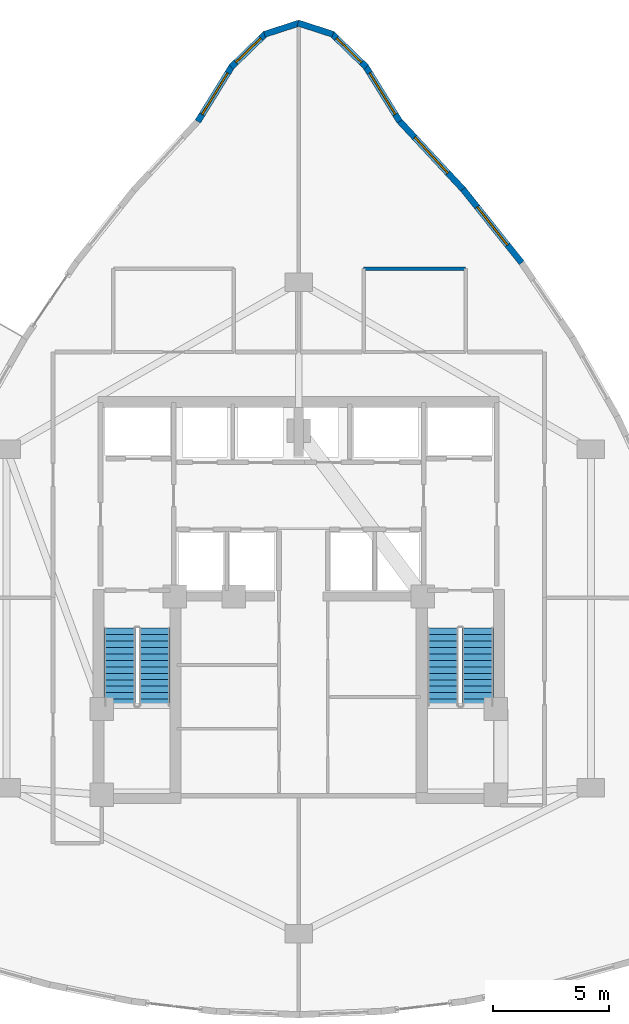
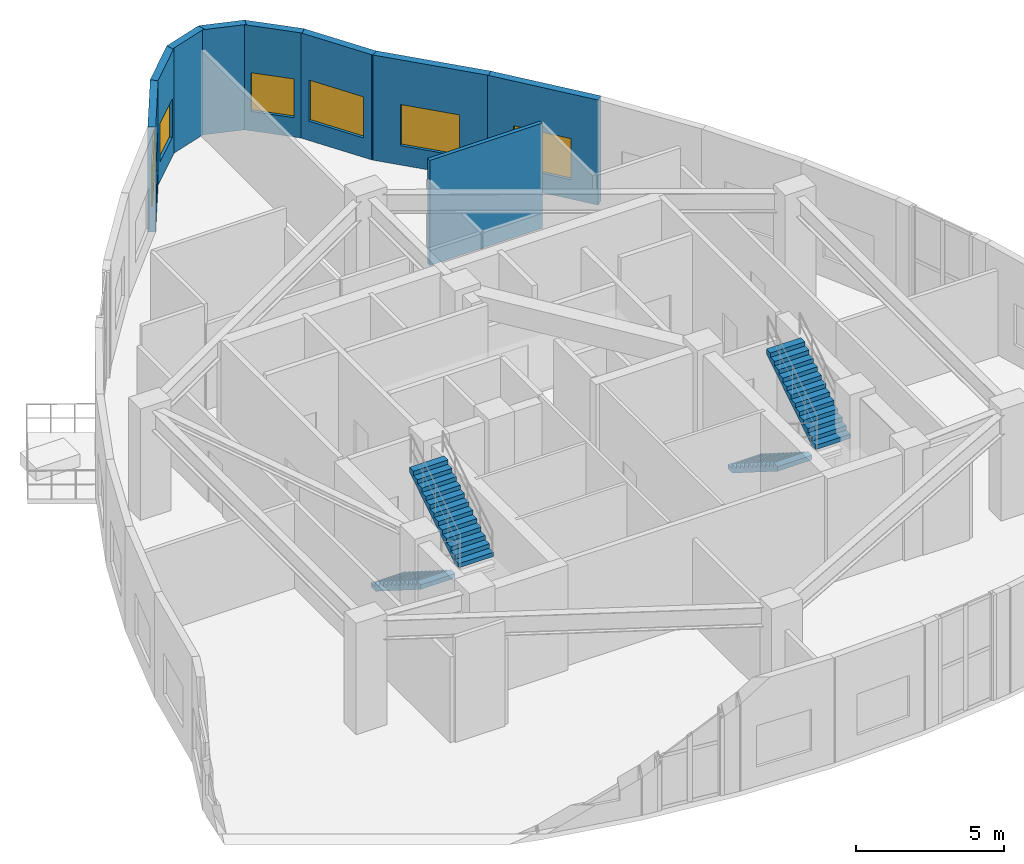
# One storey, part 13 of 14: 9 walls, 6 windows, 4 stair flights, 6 openings, 2 elements without a shape of their own.
"""IFC4 building model written with IfcOpenShell, lengths in metres."""

from ifc_helpers import new_model, si_unit, direction, frame, frame_2d, origin, place, context, subcontext, project, spatial, polyline, rectangle, outline, extrude, material, layer, layer_set, type_object, element, fill, aggregate, save


model = new_model("IFC4")

# Units and contexts
model_context = context("Model", 3, precision=1e-05, world=origin(), true_north=direction((0.0, 1.0)))
body_context = subcontext(model_context, "Body", "Model", "MODEL_VIEW")
ifc_project = project(units=[si_unit("LENGTHUNIT", "METRE"), si_unit("AREAUNIT", "SQUARE_METRE"), si_unit("VOLUMEUNIT", "CUBIC_METRE"), si_unit("PLANEANGLEUNIT", "RADIAN"), si_unit("MASSUNIT", "GRAM", prefix="KILO")], contexts=[model_context])

# Site, building, storey
site_placement = place(None, origin())
site = spatial("IfcSite", under=ifc_project, at=site_placement, CompositionType="ELEMENT")
building_placement = place(site_placement, origin())
building = spatial("IfcBuilding", under=site, at=building_placement, Name="Miruveldt Soraemaru", CompositionType="ELEMENT")
storey_placement = place(building_placement, frame((0.0, 0.0, 189.800048828125)))
storey = spatial("IfcBuildingStorey", under=building, at=storey_placement, Name="L52", CompositionType="ELEMENT", Elevation=189.800048828125)

# Wall, opening, window
ifc_material_1 = material(Name="Precast concrete C45/55 (45 MPa)", Category="concrete")
ifc_layer_1 = layer(ifc_material_1, 0.27001953125, Name="Precast concrete C45/55 (45 MPa)", Category="concrete")
ifc_layer_set_1 = layer_set([ifc_layer_1], Name="Precast concrete C45/55 (45 MPa)")
wall_type_1 = type_object("IfcWallType", Name="WALL-EXT-PC270", PredefinedType="SOLIDWALL", material=ifc_layer_set_1)
wall_1_placement = place(storey_placement, frame((48.356201171875, 64.54736328125, 0.0), z_axis=(0.0, 0.0, 1.0), x_axis=(-0.526077288346, 0.850436762309, 0.0)))
wall_1 = element("IfcWall", 1, at=wall_1_placement, inside=storey, type_object=wall_type_1, Name="L52 Precast Concrete Facade Wall 1", PredefinedType="SOLIDWALL", context=body_context, shape_type="SweptSolid", body=[
    extrude(rectangle(XDim=2.81884765625, YDim=0.27001953125, at=frame_2d((1.409423828125, 0.0))), origin(), (0.0, 0.0, 1.0), 4.344970703125),
])
opening_1_placement = place(wall_1_placement, frame((0.35888671875, 0.0, 0.800048828125)))
opening_1 = element("IfcOpeningElement", 2, at=opening_1_placement, cuts=wall_1, Name="Opening WN-1", PredefinedType="OPENING", context=body_context, shape_type="SweptSolid", body=[
    extrude(rectangle(XDim=2.10009765625, YDim=1.699951171875, at=frame_2d((1.050048828125, 0.85009765625))), frame((0.0, 0.14501953125, 0.0), z_axis=(0.0, -1.0, 0.0), x_axis=(1.0, 0.0, 0.0)), (0.0, 0.0, 1.0), 0.2900390625),
])
ifc_material_2 = material(Name="Triple low-e insulated glazing", Category="glass")
window_type_1 = type_object("IfcWindowType", Name="WIN-PUNCH-2100x1700", PartitioningType="SINGLE_PANEL", PredefinedType="WINDOW", material=ifc_material_2)
window_1_placement = place(opening_1_placement, origin())
window_1 = element("IfcWindow", 3, at=window_1_placement, inside=storey, type_object=window_type_1, Name="L52 Punched Triple-Glazed Window 01.1", OverallHeight=1.699951171875, OverallWidth=2.10009765625, PartitioningType="SINGLE_PANEL", PredefinedType="WINDOW", context=body_context, shape_type="SweptSolid", body=[
    extrude(rectangle(XDim=2.10009765625, YDim=1.699951171875, at=frame_2d((1.050048828125, 0.85009765625))), frame((0.0, 0.030029296875, 0.0), z_axis=(0.0, -1.0, 0.0), x_axis=(1.0, 0.0, 0.0)), (0.0, 0.0, 1.0), 0.06005859375),
])
fill(opening_1, window_1)

wall_2_placement = place(storey_placement, frame((46.9169921875, 66.890380859375, 0.0), z_axis=(0.0, 0.0, 1.0), x_axis=(-0.717801046214, 0.696248273286, 0.0)))
wall_2 = element("IfcWall", 4, at=wall_2_placement, inside=storey, type_object=wall_type_1, Name="L52 Precast Concrete Facade Wall 2", PredefinedType="SOLIDWALL", context=body_context, shape_type="SweptSolid", body=[
    extrude(rectangle(XDim=2.084228515625, YDim=0.27001953125, at=frame_2d((1.0419921875, 0.0))), origin(), (0.0, 0.0, 1.0), 4.344970703125),
])
opening_2_placement = place(wall_2_placement, frame((0.2919921875, 0.0, 0.800048828125)))
opening_2 = element("IfcOpeningElement", 5, at=opening_2_placement, cuts=wall_2, Name="Opening WN-3", PredefinedType="OPENING", context=body_context, shape_type="SweptSolid", body=[
    extrude(rectangle(XDim=1.5, YDim=1.60009765625, at=frame_2d((0.75, 0.800048828125))), frame((0.0, 0.14501953125, 0.0), z_axis=(0.0, -1.0, 0.0), x_axis=(1.0, 0.0, 0.0)), (0.0, 0.0, 1.0), 0.2900390625),
])
window_type_2 = type_object("IfcWindowType", Name="WIN-PUNCH-1500x1600", PartitioningType="SINGLE_PANEL", PredefinedType="WINDOW", material=ifc_material_2)
window_2_placement = place(opening_2_placement, origin())
window_2 = element("IfcWindow", 6, at=window_2_placement, inside=storey, type_object=window_type_2, Name="L52 Punched Triple-Glazed Window 02.1", OverallHeight=1.60009765625, OverallWidth=1.5, PartitioningType="SINGLE_PANEL", PredefinedType="WINDOW", context=body_context, shape_type="SweptSolid", body=[
    extrude(rectangle(XDim=1.5, YDim=1.60009765625, at=frame_2d((0.75, 0.800048828125))), frame((0.0, 0.030029296875, 0.0), z_axis=(0.0, -1.0, 0.0), x_axis=(1.0, 0.0, 0.0)), (0.0, 0.0, 1.0), 0.06005859375),
])
fill(opening_2, window_2)

# Walls
for number, where, z_axis, x_axis, name in (
    (7, (45.479248046875, 68.306396484375, 0.0), (0.0, 0.0, 1.0), (-0.951501392623, 0.307644437357, 0.0), "L52 Precast Concrete Facade Wall 3"),
    (8, (44.033203125, 68.79541015625, 0.0), (0.0, 0.0, 1.0), (-0.951501392623, -0.307644437357, 0.0), "L52 Precast Concrete Facade Wall 4"),
):
    element("IfcWall", number, at=place(storey_placement, frame(where, z_axis=z_axis, x_axis=x_axis)), inside=storey, type_object=wall_type_1, Name=name, PredefinedType="SOLIDWALL", context=body_context, shape_type="SweptSolid", body=[
        extrude(rectangle(XDim=1.589599609375, YDim=0.27001953125, at=frame_2d((0.794921875, 0.0))), origin(), (0.0, 0.0, 1.0), 4.344970703125),
    ])

# Wall, opening, window
wall_3_placement = place(storey_placement, frame((42.5791015625, 68.341552734375, 0.0), z_axis=(0.0, 0.0, 1.0), x_axis=(-0.717801046214, -0.696248273286, 0.0)))
wall_3 = element("IfcWall", 9, at=wall_3_placement, inside=storey, type_object=wall_type_1, Name="L52 Precast Concrete Facade Wall 5", PredefinedType="SOLIDWALL", context=body_context, shape_type="SweptSolid", body=[
    extrude(rectangle(XDim=2.084228515625, YDim=0.27001953125, at=frame_2d((1.0419921875, 0.0))), origin(), (0.0, 0.0, 1.0), 4.344970703125),
])
opening_3_placement = place(wall_3_placement, frame((0.2919921875, 0.0, 0.800048828125)))
opening_3 = element("IfcOpeningElement", 10, at=opening_3_placement, cuts=wall_3, Name="Opening WN-3", PredefinedType="OPENING", context=body_context, shape_type="SweptSolid", body=[
    extrude(rectangle(XDim=1.5, YDim=1.60009765625, at=frame_2d((0.75, 0.800048828125))), frame((0.0, 0.14501953125, 0.0), z_axis=(0.0, -1.0, 0.0), x_axis=(1.0, 0.0, 0.0)), (0.0, 0.0, 1.0), 0.2900390625),
])
window_3_placement = place(opening_3_placement, origin())
window_3 = element("IfcWindow", 11, at=window_3_placement, inside=storey, type_object=window_type_2, Name="L52 Punched Triple-Glazed Window 05.1", OverallHeight=1.60009765625, OverallWidth=1.5, PartitioningType="SINGLE_PANEL", PredefinedType="WINDOW", context=body_context, shape_type="SweptSolid", body=[
    extrude(rectangle(XDim=1.5, YDim=1.60009765625, at=frame_2d((0.75, 0.800048828125))), frame((0.0, 0.030029296875, 0.0), z_axis=(0.0, -1.0, 0.0), x_axis=(1.0, 0.0, 0.0)), (0.0, 0.0, 1.0), 0.06005859375),
])
fill(opening_3, window_3)

wall_4_placement = place(storey_placement, frame((41.126708984375, 66.944580078125, 0.0), z_axis=(0.0, 0.0, 1.0), x_axis=(-0.526077288346, -0.850436762309, 0.0)))
wall_4 = element("IfcWall", 12, at=wall_4_placement, inside=storey, type_object=wall_type_1, Name="L52 Precast Concrete Facade Wall 6", PredefinedType="SOLIDWALL", context=body_context, shape_type="SweptSolid", body=[
    extrude(rectangle(XDim=2.81884765625, YDim=0.27001953125, at=frame_2d((1.409423828125, 0.0))), origin(), (0.0, 0.0, 1.0), 4.344970703125),
])
opening_4_placement = place(wall_4_placement, frame((0.35888671875, 0.0, 0.800048828125)))
opening_4 = element("IfcOpeningElement", 13, at=opening_4_placement, cuts=wall_4, Name="Opening WN-1", PredefinedType="OPENING", context=body_context, shape_type="SweptSolid", body=[
    extrude(rectangle(XDim=2.10009765625, YDim=1.699951171875, at=frame_2d((1.050048828125, 0.85009765625))), frame((0.0, 0.14501953125, 0.0), z_axis=(0.0, -1.0, 0.0), x_axis=(1.0, 0.0, 0.0)), (0.0, 0.0, 1.0), 0.2900390625),
])
window_4_placement = place(opening_4_placement, origin())
window_4 = element("IfcWindow", 14, at=window_4_placement, inside=storey, type_object=window_type_1, Name="L52 Punched Triple-Glazed Window 06.1", OverallHeight=1.699951171875, OverallWidth=2.10009765625, PartitioningType="SINGLE_PANEL", PredefinedType="WINDOW", context=body_context, shape_type="SweptSolid", body=[
    extrude(rectangle(XDim=2.10009765625, YDim=1.699951171875, at=frame_2d((1.050048828125, 0.85009765625))), frame((0.0, 0.030029296875, 0.0), z_axis=(0.0, -1.0, 0.0), x_axis=(1.0, 0.0, 0.0)), (0.0, 0.0, 1.0), 0.06005859375),
])
fill(opening_4, window_4)

wall_5_placement = place(storey_placement, frame((53.62109375, 58.447021484375, 0.0), z_axis=(0.0, 0.0, 1.0), x_axis=(-0.623573825008, 0.781764468856, 0.0)))
wall_5 = element("IfcWall", 15, at=wall_5_placement, inside=storey, type_object=wall_type_1, Name="L52 Precast Concrete Facade Wall 41", PredefinedType="SOLIDWALL", context=body_context, shape_type="SweptSolid", body=[
    extrude(rectangle(XDim=4.065185546875, YDim=0.27001953125, at=frame_2d((2.03271484375, 0.0))), origin(), (0.0, 0.0, 1.0), 4.344970703125),
])
opening_5_placement = place(wall_5_placement, frame((0.98193359375, 0.0, 0.800048828125)))
opening_5 = element("IfcOpeningElement", 16, at=opening_5_placement, cuts=wall_5, Name="Opening WN-1", PredefinedType="OPENING", context=body_context, shape_type="SweptSolid", body=[
    extrude(rectangle(XDim=2.10009765625, YDim=1.699951171875, at=frame_2d((1.050048828125, 0.85009765625))), frame((0.0, 0.14501953125, 0.0), z_axis=(0.0, -1.0, 0.0), x_axis=(1.0, 0.0, 0.0)), (0.0, 0.0, 1.0), 0.2900390625),
])
window_5_placement = place(opening_5_placement, origin())
window_5 = element("IfcWindow", 17, at=window_5_placement, inside=storey, type_object=window_type_1, Name="L52 Punched Triple-Glazed Window 41.1", OverallHeight=1.699951171875, OverallWidth=2.10009765625, PartitioningType="SINGLE_PANEL", PredefinedType="WINDOW", context=body_context, shape_type="SweptSolid", body=[
    extrude(rectangle(XDim=2.10009765625, YDim=1.699951171875, at=frame_2d((1.050048828125, 0.85009765625))), frame((0.0, 0.030029296875, 0.0), z_axis=(0.0, -1.0, 0.0), x_axis=(1.0, 0.0, 0.0)), (0.0, 0.0, 1.0), 0.06005859375),
])
fill(opening_5, window_5)

wall_6_placement = place(storey_placement, frame((51.131591796875, 61.572021484375, 0.0), z_axis=(0.0, 0.0, 1.0), x_axis=(-0.680885456992, 0.732389919686, 0.0)))
wall_6 = element("IfcWall", 18, at=wall_6_placement, inside=storey, type_object=wall_type_1, Name="L52 Precast Concrete Facade Wall 42", PredefinedType="SOLIDWALL", context=body_context, shape_type="SweptSolid", body=[
    extrude(rectangle(XDim=4.13818359375, YDim=0.27001953125, at=frame_2d((2.069091796875, 0.0))), origin(), (0.0, 0.0, 1.0), 4.344970703125),
])
opening_6_placement = place(wall_6_placement, frame((1.01904296875, 0.0, 0.800048828125)))
opening_6 = element("IfcOpeningElement", 19, at=opening_6_placement, cuts=wall_6, Name="Opening WN-1", PredefinedType="OPENING", context=body_context, shape_type="SweptSolid", body=[
    extrude(rectangle(XDim=2.10009765625, YDim=1.699951171875, at=frame_2d((1.050048828125, 0.85009765625))), frame((0.0, 0.14501953125, 0.0), z_axis=(0.0, -1.0, 0.0), x_axis=(1.0, 0.0, 0.0)), (0.0, 0.0, 1.0), 0.2900390625),
])
window_6_placement = place(opening_6_placement, origin())
window_6 = element("IfcWindow", 20, at=window_6_placement, inside=storey, type_object=window_type_1, Name="L52 Punched Triple-Glazed Window 42.1", OverallHeight=1.699951171875, OverallWidth=2.10009765625, PartitioningType="SINGLE_PANEL", PredefinedType="WINDOW", context=body_context, shape_type="SweptSolid", body=[
    extrude(rectangle(XDim=2.10009765625, YDim=1.699951171875, at=frame_2d((1.050048828125, 0.85009765625))), frame((0.0, 0.030029296875, 0.0), z_axis=(0.0, -1.0, 0.0), x_axis=(1.0, 0.0, 0.0)), (0.0, 0.0, 1.0), 0.06005859375),
])
fill(opening_6, window_6)

# Wall
ifc_material_3 = material(Name="Gypsum plasterboard lining", Category="gypsum")
ifc_layer_2 = layer(ifc_material_3, 0.14990234375, Name="Gypsum plasterboard lining", Category="gypsum")
ifc_layer_set_2 = layer_set([ifc_layer_2], Name="Gypsum plasterboard lining")
wall_type_2 = type_object("IfcWallType", Name="WALL-INT-PLUMB", PredefinedType="PLUMBINGWALL", material=ifc_layer_set_2)
wall_7_placement = place(storey_placement, frame((51.199951171875, 58.199951171875, 0.0), z_axis=(0.0, 0.0, 1.0), x_axis=(-1.0, 0.0, 0.0)))
element("IfcWall", 21, at=wall_7_placement, inside=storey, type_object=wall_type_2, Name="L52 Partition Wall 18", PredefinedType="PLUMBINGWALL", context=body_context, shape_type="SweptSolid", body=[
    extrude(rectangle(XDim=4.39990234375, YDim=0.14990234375, at=frame_2d((2.199951171875, 0.0))), origin(), (0.0, 0.0, 1.0), 4.344970703125),
])

# Stair, stair flights
ifc_material_4 = material(Name="Concrete C40/50 (40 MPa)", Category="concrete")
stair_type = type_object("IfcStairType", Name="STAIR-DL-460", PredefinedType="HALF_TURN_STAIR", material=ifc_material_4)
stair_1_placement = place(storey_placement, origin())
stair_1 = element("IfcStair", 22, at=stair_1_placement, inside=storey, type_object=stair_type, Name="L52 Protected Exit Stair ST-1", PredefinedType="HALF_TURN_STAIR")
stair_flight_type = type_object("IfcStairFlightType", Name="SFL-DL-460", PredefinedType="STRAIGHT", material=ifc_material_4)
stair_flight_1_placement = place(storey_placement, frame((36.27490234375, 42.699951171875, 0.0), z_axis=(0.0, 0.0, 1.0), x_axis=(0.0, -1.0, 0.0)))
stair_flight_1 = element("IfcStairFlight", 23, at=stair_flight_1_placement, type_object=stair_flight_type, Name="ST-1 flight 1", NumberOfRisers=13, NumberOfTreads=12, PredefinedType="STRAIGHT", RiserHeight=0.176923077, TreadLength=0.28, context=body_context, shape_type="SweptSolid", body=[
    extrude(outline(polyline([(0.0, 0.0), (0.0, 0.177001953125), (0.280029296875, 0.177001953125), (0.280029296875, 0.353759765625), (0.56005859375, 0.353759765625), (0.56005859375, 0.53076171875), (0.840087890625, 0.53076171875), (0.840087890625, 0.707763671875), (1.1201171875, 0.707763671875), (1.1201171875, 0.884521484375), (1.39990234375, 0.884521484375), (1.39990234375, 1.0615234375), (1.679931640625, 1.0615234375), (1.679931640625, 1.238525390625), (1.9599609375, 1.238525390625), (1.9599609375, 1.415283203125), (2.239990234375, 1.415283203125), (2.239990234375, 1.59228515625), (2.52001953125, 1.59228515625), (2.52001953125, 1.769287109375), (2.800048828125, 1.769287109375), (2.800048828125, 1.946044921875), (3.080078125, 1.946044921875), (3.080078125, 2.123046875), (3.360107421875, 2.123046875), (3.360107421875, 2.300048828125), (3.360107421875, 1.933837890625), (0.29931640625, 0.0), (0.0, 0.0)])), frame((0.0, 0.675048828125, 0.0), z_axis=(0.0, -1.0, 0.0), x_axis=(1.0, 0.0, 0.0)), (0.0, 0.0, 1.0), 1.35009765625),
])
stair_flight_2_placement = place(storey_placement, frame((37.77490234375, 39.340087890625, 2.300048828125), z_axis=(0.0, 0.0, 1.0), x_axis=(0.0, 1.0, 0.0)))
stair_flight_2 = element("IfcStairFlight", 24, at=stair_flight_2_placement, type_object=stair_flight_type, Name="ST-1 flight 2", NumberOfRisers=13, NumberOfTreads=12, PredefinedType="STRAIGHT", RiserHeight=0.176923077, TreadLength=0.28, context=body_context, shape_type="SweptSolid", body=[
    extrude(outline(polyline([(0.0, 0.0), (0.0, 0.177001953125), (0.280029296875, 0.177001953125), (0.280029296875, 0.353759765625), (0.56005859375, 0.353759765625), (0.56005859375, 0.53076171875), (0.840087890625, 0.53076171875), (0.840087890625, 0.707763671875), (1.1201171875, 0.707763671875), (1.1201171875, 0.884521484375), (1.39990234375, 0.884521484375), (1.39990234375, 1.0615234375), (1.679931640625, 1.0615234375), (1.679931640625, 1.238525390625), (1.9599609375, 1.238525390625), (1.9599609375, 1.415283203125), (2.239990234375, 1.415283203125), (2.239990234375, 1.59228515625), (2.52001953125, 1.59228515625), (2.52001953125, 1.769287109375), (2.800048828125, 1.769287109375), (2.800048828125, 1.946044921875), (3.080078125, 1.946044921875), (3.080078125, 2.123046875), (3.360107421875, 2.123046875), (3.360107421875, 2.300048828125), (3.360107421875, 1.933837890625), (0.29931640625, 0.0), (0.0, 0.0)])), frame((0.0, 0.675048828125, 0.0), z_axis=(0.0, -1.0, 0.0), x_axis=(1.0, 0.0, 0.0)), (0.0, 0.0, 1.0), 1.35009765625),
])
aggregate(stair_1, [stair_flight_1, stair_flight_2])

stair_2_placement = place(storey_placement, origin())
stair_2 = element("IfcStair", 25, at=stair_2_placement, inside=storey, type_object=stair_type, Name="L52 Protected Exit Stair ST-2", PredefinedType="HALF_TURN_STAIR")
stair_flight_3_placement = place(storey_placement, frame((50.22509765625, 42.699951171875, 0.0), z_axis=(0.0, 0.0, 1.0), x_axis=(0.0, -1.0, 0.0)))
stair_flight_3 = element("IfcStairFlight", 26, at=stair_flight_3_placement, type_object=stair_flight_type, Name="ST-2 flight 1", NumberOfRisers=13, NumberOfTreads=12, PredefinedType="STRAIGHT", RiserHeight=0.176923077, TreadLength=0.28, context=body_context, shape_type="SweptSolid", body=[
    extrude(outline(polyline([(0.0, 0.0), (0.0, 0.177001953125), (0.280029296875, 0.177001953125), (0.280029296875, 0.353759765625), (0.56005859375, 0.353759765625), (0.56005859375, 0.53076171875), (0.840087890625, 0.53076171875), (0.840087890625, 0.707763671875), (1.1201171875, 0.707763671875), (1.1201171875, 0.884521484375), (1.39990234375, 0.884521484375), (1.39990234375, 1.0615234375), (1.679931640625, 1.0615234375), (1.679931640625, 1.238525390625), (1.9599609375, 1.238525390625), (1.9599609375, 1.415283203125), (2.239990234375, 1.415283203125), (2.239990234375, 1.59228515625), (2.52001953125, 1.59228515625), (2.52001953125, 1.769287109375), (2.800048828125, 1.769287109375), (2.800048828125, 1.946044921875), (3.080078125, 1.946044921875), (3.080078125, 2.123046875), (3.360107421875, 2.123046875), (3.360107421875, 2.300048828125), (3.360107421875, 1.933837890625), (0.29931640625, 0.0), (0.0, 0.0)])), frame((0.0, 0.675048828125, 0.0), z_axis=(0.0, -1.0, 0.0), x_axis=(1.0, 0.0, 0.0)), (0.0, 0.0, 1.0), 1.35009765625),
])
stair_flight_4_placement = place(storey_placement, frame((51.72509765625, 39.340087890625, 2.300048828125), z_axis=(0.0, 0.0, 1.0), x_axis=(0.0, 1.0, 0.0)))
stair_flight_4 = element("IfcStairFlight", 27, at=stair_flight_4_placement, type_object=stair_flight_type, Name="ST-2 flight 2", NumberOfRisers=13, NumberOfTreads=12, PredefinedType="STRAIGHT", RiserHeight=0.176923077, TreadLength=0.28, context=body_context, shape_type="SweptSolid", body=[
    extrude(outline(polyline([(0.0, 0.0), (0.0, 0.177001953125), (0.280029296875, 0.177001953125), (0.280029296875, 0.353759765625), (0.56005859375, 0.353759765625), (0.56005859375, 0.53076171875), (0.840087890625, 0.53076171875), (0.840087890625, 0.707763671875), (1.1201171875, 0.707763671875), (1.1201171875, 0.884521484375), (1.39990234375, 0.884521484375), (1.39990234375, 1.0615234375), (1.679931640625, 1.0615234375), (1.679931640625, 1.238525390625), (1.9599609375, 1.238525390625), (1.9599609375, 1.415283203125), (2.239990234375, 1.415283203125), (2.239990234375, 1.59228515625), (2.52001953125, 1.59228515625), (2.52001953125, 1.769287109375), (2.800048828125, 1.769287109375), (2.800048828125, 1.946044921875), (3.080078125, 1.946044921875), (3.080078125, 2.123046875), (3.360107421875, 2.123046875), (3.360107421875, 2.300048828125), (3.360107421875, 1.933837890625), (0.29931640625, 0.0), (0.0, 0.0)])), frame((0.0, 0.675048828125, 0.0), z_axis=(0.0, -1.0, 0.0), x_axis=(1.0, 0.0, 0.0)), (0.0, 0.0, 1.0), 1.35009765625),
])
aggregate(stair_2, [stair_flight_3, stair_flight_4])

save(model, "model.ifc")
